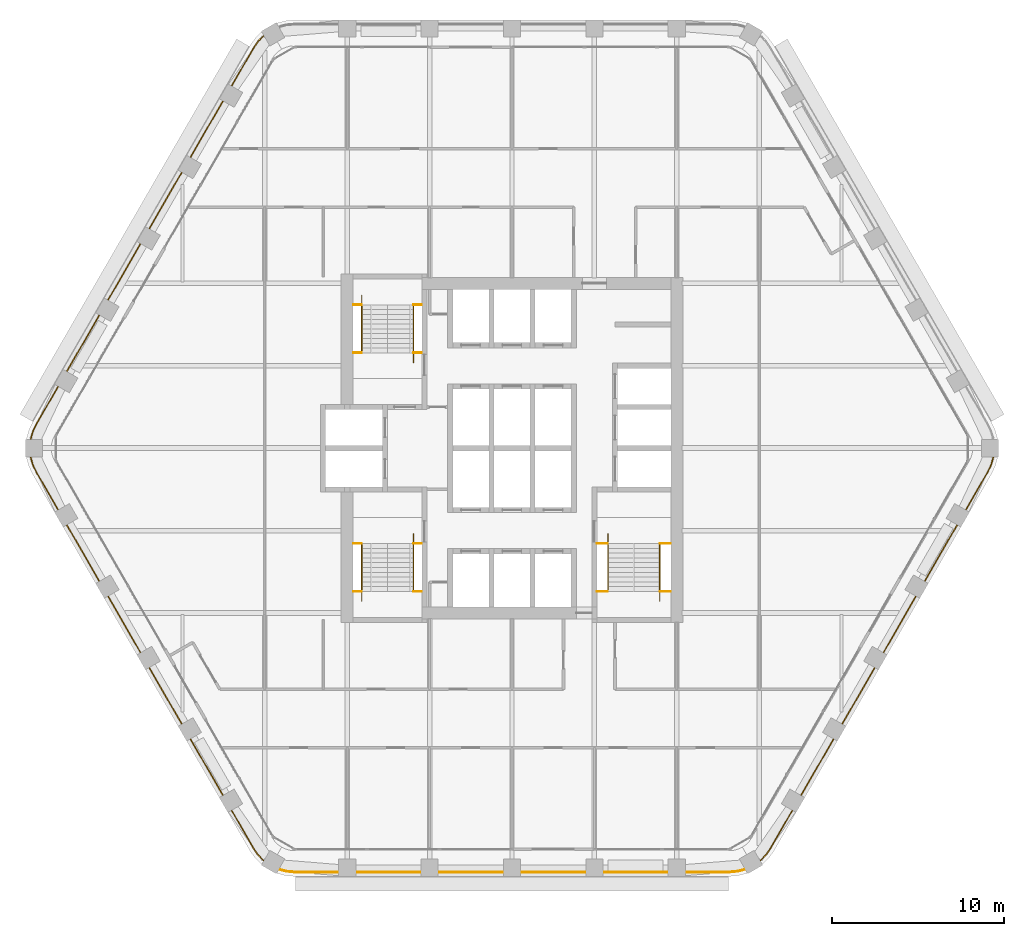
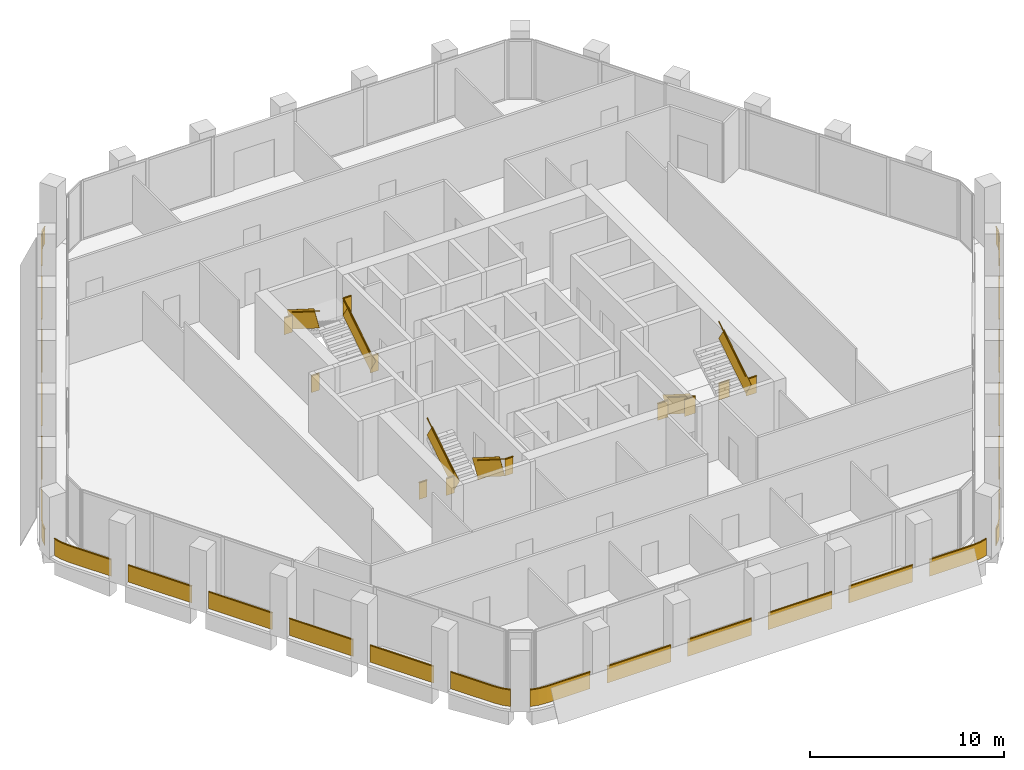
# One storey, part 14 of 15: 10 railings.
"""IFC4 building model written with IfcOpenShell, lengths in metres."""

from ifc_helpers import new_model, si_unit, direction, frame, frame_2d, origin, origin_2d, place, context, subcontext, project, spatial, rectangle, extrude, material, type_object, element, save


model = new_model("IFC4")

# Units and contexts
model_context = context("Model", 3, precision=1e-05, world=origin(), true_north=direction((0.0, 1.0)))
body_context = subcontext(model_context, "Body", "Model", "MODEL_VIEW")
ifc_project = project(units=[si_unit("LENGTHUNIT", "METRE"), si_unit("AREAUNIT", "SQUARE_METRE"), si_unit("VOLUMEUNIT", "CUBIC_METRE"), si_unit("PLANEANGLEUNIT", "RADIAN"), si_unit("MASSUNIT", "GRAM", prefix="KILO")], contexts=[model_context])

# Site, building, storey
site_placement = place(None, origin())
site = spatial("IfcSite", under=ifc_project, at=site_placement, CompositionType="ELEMENT")
building_placement = place(site_placement, origin())
building = spatial("IfcBuilding", under=site, at=building_placement, Name="Kolab Exchange Tower", CompositionType="ELEMENT")
storey_placement = place(building_placement, frame((0.0, 0.0, 138.800048828125)))
storey = spatial("IfcBuildingStorey", under=building, at=storey_placement, Name="L27", CompositionType="ELEMENT", Elevation=138.800048828125)

# Railings
ifc_material_1 = material(Name="Stainless steel 316", Category="steel")
railing_type_1 = type_object("IfcRailingType", Name="GUARD 1100", PredefinedType="GUARDRAIL", material=ifc_material_1)
railing_1_placement = place(storey_placement, frame((-9.25, 5.550048828125, 0.0)))
element("IfcRailing", 1, at=railing_1_placement, inside=storey, type_object=railing_type_1, Name="Guard ST1", PredefinedType="GUARDRAIL", context=body_context, shape_type="SweptSolid", body=[
    extrude(rectangle(XDim=0.05, YDim=0.05, at=origin_2d()), frame((0.0, 0.0, 1.0751953125), z_axis=(1.0, 0.0, 0.0), x_axis=(0.0, 1.0, 0.0)), (0.0, 0.0, 1.0), 0.489990234375),
    extrude(rectangle(XDim=0.012, YDim=1.05009765625, at=frame_2d((0.0, 0.525146484375))), frame((0.0, 0.0, 0.0), z_axis=(1.0, 0.0, 0.0), x_axis=(0.0, 1.0, 0.0)), (0.0, 0.0, 1.0), 0.489990234375),
    extrude(rectangle(XDim=0.05, YDim=0.05, at=origin_2d()), frame((3.510009765625, 0.0, 1.0751953125), z_axis=(1.0, 0.0, 0.0), x_axis=(0.0, 1.0, 0.0)), (0.0, 0.0, 1.0), 0.489990234375),
    extrude(rectangle(XDim=0.012, YDim=1.05009765625, at=frame_2d((0.0, 0.525146484375))), frame((3.510009765625, 0.0, 0.0), z_axis=(1.0, 0.0, 0.0), x_axis=(0.0, 1.0, 0.0)), (0.0, 0.0, 1.0), 0.489990234375),
    extrude(rectangle(XDim=0.05, YDim=0.05, at=origin_2d()), frame((0.0, 2.800048828125, 3.025146484375), z_axis=(1.0, 0.0, 0.0), x_axis=(0.0, 1.0, 0.0)), (0.0, 0.0, 1.0), 0.489990234375),
    extrude(rectangle(XDim=0.012, YDim=1.05009765625, at=frame_2d((0.0, 0.525146484375))), frame((0.0, 2.800048828125, 1.949951171875), z_axis=(1.0, 0.0, 0.0), x_axis=(0.0, 1.0, 0.0)), (0.0, 0.0, 1.0), 0.489990234375),
    extrude(rectangle(XDim=0.05, YDim=0.05, at=origin_2d()), frame((3.510009765625, 2.800048828125, 3.025146484375), z_axis=(1.0, 0.0, 0.0), x_axis=(0.0, 1.0, 0.0)), (0.0, 0.0, 1.0), 0.489990234375),
    extrude(rectangle(XDim=0.012, YDim=1.05009765625, at=frame_2d((0.0, 0.525146484375))), frame((3.510009765625, 2.800048828125, 1.949951171875), z_axis=(1.0, 0.0, 0.0), x_axis=(0.0, 1.0, 0.0)), (0.0, 0.0, 1.0), 0.489990234375),
])
railing_2_placement = place(storey_placement, frame((-5.739990234375, 5.550048828125, 0.17724609375)))
element("IfcRailing", 2, at=railing_2_placement, inside=storey, type_object=railing_type_1, Name="Handrail guard ST1", PredefinedType="GUARDRAIL", context=body_context, shape_type="SweptSolid", body=[
    extrude(rectangle(XDim=0.05, YDim=0.05, at=origin_2d()), frame((0.0, 0.0, 1.0751953125), z_axis=(0.0, 0.844908973607, 0.534910110503), x_axis=(-1.0, 0.0, 0.0)), (0.0, 0.0, 1.0), 3.31396484375),
    extrude(rectangle(XDim=0.012, YDim=1.05009765625, at=frame_2d((0.0, 0.525146484375))), frame((0.0, 0.0, 0.0), z_axis=(0.0, 0.844908973607, 0.534910110503), x_axis=(-1.0, 0.0, 0.0)), (0.0, 0.0, 1.0), 3.31396484375),
    extrude(rectangle(XDim=0.05, YDim=0.05, at=origin_2d()), frame((-3.02001953125, 2.800048828125, 3.025146484375), z_axis=(0.0, -0.844908973607, 0.534910110503), x_axis=(1.0, 0.0, 0.0)), (0.0, 0.0, 1.0), 3.31396484375),
    extrude(rectangle(XDim=0.012, YDim=1.05009765625, at=frame_2d((0.0, 0.525146484375))), frame((-3.02001953125, 2.800048828125, 1.949951171875), z_axis=(0.0, -0.844908973607, 0.534910110503), x_axis=(1.0, 0.0, 0.0)), (0.0, 0.0, 1.0), 3.31396484375),
])
railing_3_placement = place(storey_placement, frame((-9.25, -5.550048828125, 0.0)))
element("IfcRailing", 3, at=railing_3_placement, inside=storey, type_object=railing_type_1, Name="Guard ST3", PredefinedType="GUARDRAIL", context=body_context, shape_type="SweptSolid", body=[
    extrude(rectangle(XDim=0.05, YDim=0.05, at=origin_2d()), frame((0.0, 0.0, 1.0751953125), z_axis=(1.0, 0.0, 0.0), x_axis=(0.0, 1.0, 0.0)), (0.0, 0.0, 1.0), 0.489990234375),
    extrude(rectangle(XDim=0.012, YDim=1.05009765625, at=frame_2d((0.0, 0.525146484375))), frame((0.0, 0.0, 0.0), z_axis=(1.0, 0.0, 0.0), x_axis=(0.0, 1.0, 0.0)), (0.0, 0.0, 1.0), 0.489990234375),
    extrude(rectangle(XDim=0.05, YDim=0.05, at=origin_2d()), frame((3.510009765625, 0.0, 1.0751953125), z_axis=(1.0, 0.0, 0.0), x_axis=(0.0, 1.0, 0.0)), (0.0, 0.0, 1.0), 0.489990234375),
    extrude(rectangle(XDim=0.012, YDim=1.05009765625, at=frame_2d((0.0, 0.525146484375))), frame((3.510009765625, 0.0, 0.0), z_axis=(1.0, 0.0, 0.0), x_axis=(0.0, 1.0, 0.0)), (0.0, 0.0, 1.0), 0.489990234375),
    extrude(rectangle(XDim=0.05, YDim=0.05, at=origin_2d()), frame((0.0, -2.800048828125, 3.025146484375), z_axis=(1.0, 0.0, 0.0), x_axis=(0.0, 1.0, 0.0)), (0.0, 0.0, 1.0), 0.489990234375),
    extrude(rectangle(XDim=0.012, YDim=1.05009765625, at=frame_2d((0.0, 0.525146484375))), frame((0.0, -2.800048828125, 1.949951171875), z_axis=(1.0, 0.0, 0.0), x_axis=(0.0, 1.0, 0.0)), (0.0, 0.0, 1.0), 0.489990234375),
    extrude(rectangle(XDim=0.05, YDim=0.05, at=origin_2d()), frame((3.510009765625, -2.800048828125, 3.025146484375), z_axis=(1.0, 0.0, 0.0), x_axis=(0.0, 1.0, 0.0)), (0.0, 0.0, 1.0), 0.489990234375),
    extrude(rectangle(XDim=0.012, YDim=1.05009765625, at=frame_2d((0.0, 0.525146484375))), frame((3.510009765625, -2.800048828125, 1.949951171875), z_axis=(1.0, 0.0, 0.0), x_axis=(0.0, 1.0, 0.0)), (0.0, 0.0, 1.0), 0.489990234375),
])
railing_4_placement = place(storey_placement, frame((-5.739990234375, -5.550048828125, 0.17724609375)))
element("IfcRailing", 4, at=railing_4_placement, inside=storey, type_object=railing_type_1, Name="Handrail guard ST3", PredefinedType="GUARDRAIL", context=body_context, shape_type="SweptSolid", body=[
    extrude(rectangle(XDim=0.05, YDim=0.05, at=origin_2d()), frame((0.0, 0.0, 1.0751953125), z_axis=(0.0, -0.844908973607, 0.534910110503), x_axis=(1.0, 0.0, 0.0)), (0.0, 0.0, 1.0), 3.31396484375),
    extrude(rectangle(XDim=0.012, YDim=1.05009765625, at=frame_2d((0.0, 0.525146484375))), frame((0.0, 0.0, 0.0), z_axis=(0.0, -0.844908973607, 0.534910110503), x_axis=(1.0, 0.0, 0.0)), (0.0, 0.0, 1.0), 3.31396484375),
    extrude(rectangle(XDim=0.05, YDim=0.05, at=origin_2d()), frame((-3.02001953125, -2.800048828125, 3.025146484375), z_axis=(0.0, 0.844908973607, 0.534910110503), x_axis=(-1.0, 0.0, 0.0)), (0.0, 0.0, 1.0), 3.31396484375),
    extrude(rectangle(XDim=0.012, YDim=1.05009765625, at=frame_2d((0.0, 0.525146484375))), frame((-3.02001953125, -2.800048828125, 1.949951171875), z_axis=(0.0, 0.844908973607, 0.534910110503), x_axis=(-1.0, 0.0, 0.0)), (0.0, 0.0, 1.0), 3.31396484375),
])
railing_5_placement = place(storey_placement, frame((4.949951171875, -5.550048828125, 0.0)))
element("IfcRailing", 5, at=railing_5_placement, inside=storey, type_object=railing_type_1, Name="Guard ST2", PredefinedType="GUARDRAIL", context=body_context, shape_type="SweptSolid", body=[
    extrude(rectangle(XDim=0.05, YDim=0.05, at=origin_2d()), frame((0.0, 0.0, 1.0751953125), z_axis=(1.0, 0.0, 0.0), x_axis=(0.0, 1.0, 0.0)), (0.0, 0.0, 1.0), 0.64013671875),
    extrude(rectangle(XDim=0.012, YDim=1.05009765625, at=frame_2d((0.0, 0.525146484375))), frame((0.0, 0.0, 0.0), z_axis=(1.0, 0.0, 0.0), x_axis=(0.0, 1.0, 0.0)), (0.0, 0.0, 1.0), 0.64013671875),
    extrude(rectangle(XDim=0.05, YDim=0.05, at=origin_2d()), frame((3.66015625, 0.0, 1.0751953125), z_axis=(1.0, 0.0, 0.0), x_axis=(0.0, 1.0, 0.0)), (0.0, 0.0, 1.0), 0.639892578125),
    extrude(rectangle(XDim=0.012, YDim=1.05009765625, at=frame_2d((0.0, 0.525146484375))), frame((3.66015625, 0.0, 0.0), z_axis=(1.0, 0.0, 0.0), x_axis=(0.0, 1.0, 0.0)), (0.0, 0.0, 1.0), 0.639892578125),
    extrude(rectangle(XDim=0.05, YDim=0.05, at=origin_2d()), frame((0.0, -2.800048828125, 3.025146484375), z_axis=(1.0, 0.0, 0.0), x_axis=(0.0, 1.0, 0.0)), (0.0, 0.0, 1.0), 0.64013671875),
    extrude(rectangle(XDim=0.012, YDim=1.05009765625, at=frame_2d((0.0, 0.525146484375))), frame((0.0, -2.800048828125, 1.949951171875), z_axis=(1.0, 0.0, 0.0), x_axis=(0.0, 1.0, 0.0)), (0.0, 0.0, 1.0), 0.64013671875),
    extrude(rectangle(XDim=0.05, YDim=0.05, at=origin_2d()), frame((3.66015625, -2.800048828125, 3.025146484375), z_axis=(1.0, 0.0, 0.0), x_axis=(0.0, 1.0, 0.0)), (0.0, 0.0, 1.0), 0.639892578125),
    extrude(rectangle(XDim=0.012, YDim=1.05009765625, at=frame_2d((0.0, 0.525146484375))), frame((3.66015625, -2.800048828125, 1.949951171875), z_axis=(1.0, 0.0, 0.0), x_axis=(0.0, 1.0, 0.0)), (0.0, 0.0, 1.0), 0.639892578125),
])
railing_6_placement = place(storey_placement, frame((5.590087890625, -5.550048828125, 0.17724609375)))
element("IfcRailing", 6, at=railing_6_placement, inside=storey, type_object=railing_type_1, Name="Handrail guard ST2", PredefinedType="GUARDRAIL", context=body_context, shape_type="SweptSolid", body=[
    extrude(rectangle(XDim=0.05, YDim=0.05, at=origin_2d()), frame((0.0, 0.0, 1.0751953125), z_axis=(0.0, -0.844908973607, 0.534910110503), x_axis=(1.0, 0.0, 0.0)), (0.0, 0.0, 1.0), 3.31396484375),
    extrude(rectangle(XDim=0.012, YDim=1.05009765625, at=frame_2d((0.0, 0.525146484375))), frame((0.0, 0.0, 0.0), z_axis=(0.0, -0.844908973607, 0.534910110503), x_axis=(1.0, 0.0, 0.0)), (0.0, 0.0, 1.0), 3.31396484375),
    extrude(rectangle(XDim=0.05, YDim=0.05, at=origin_2d()), frame((3.02001953125, -2.800048828125, 3.025146484375), z_axis=(0.0, 0.844908973607, 0.534910110503), x_axis=(-1.0, 0.0, 0.0)), (0.0, 0.0, 1.0), 3.31396484375),
    extrude(rectangle(XDim=0.012, YDim=1.05009765625, at=frame_2d((0.0, 0.525146484375))), frame((3.02001953125, -2.800048828125, 1.949951171875), z_axis=(0.0, 0.844908973607, 0.534910110503), x_axis=(-1.0, 0.0, 0.0)), (0.0, 0.0, 1.0), 3.31396484375),
])
ifc_material_2 = material(Name="Steel S235", Category="steel")
railing_type_2 = type_object("IfcRailingType", Name="GUARD 1100 GLASS BALUSTRADE AND STEEL TOP RAIL", PredefinedType="GUARDRAIL", material=ifc_material_2)
railing_7_placement = place(storey_placement, frame((14.4501953125, -24.033447265625, 0.0)))
element("IfcRailing", 7, at=railing_7_placement, inside=storey, type_object=railing_type_2, Name="Guard", PredefinedType="GUARDRAIL", context=body_context, shape_type="SweptSolid", body=[
    extrude(rectangle(XDim=0.05, YDim=0.05, at=origin_2d()), frame((0.0, 0.0, 1.0751953125), z_axis=(0.70737286085, 0.706840601361, 0.0), x_axis=(-0.706840601361, 0.70737286085, 0.0)), (0.0, 0.0, 1.0), 0.458740234375),
    extrude(rectangle(XDim=0.012, YDim=1.05009765625, at=frame_2d((0.0, 0.525146484375))), frame((0.0, 0.0, 0.0), z_axis=(0.70737286085, 0.706840601361, 0.0), x_axis=(-0.706840601361, 0.70737286085, 0.0)), (0.0, 0.0, 1.0), 0.458740234375),
    extrude(rectangle(XDim=0.05, YDim=0.05, at=origin_2d()), frame((0.324462890625, 0.32421875, 1.0751953125), z_axis=(0.573599091554, 0.819136180478, 0.0), x_axis=(-0.819136180478, 0.573599091554, 0.0)), (0.0, 0.0, 1.0), 0.479248046875),
    extrude(rectangle(XDim=0.012, YDim=1.05009765625, at=frame_2d((0.0, 0.525146484375))), frame((0.324462890625, 0.32421875, 0.0), z_axis=(0.573599091554, 0.819136180478, 0.0), x_axis=(-0.819136180478, 0.573599091554, 0.0)), (0.0, 0.0, 1.0), 0.479248046875),
    extrude(rectangle(XDim=0.05, YDim=0.05, at=origin_2d()), frame((0.599365234375, 0.716796875, 1.0751953125), z_axis=(0.499952873616, 0.866052610505, 0.0), x_axis=(-0.866052610505, 0.499952873616, 0.0)), (0.0, 0.0, 1.0), 2.568115234375),
    extrude(rectangle(XDim=0.012, YDim=1.05009765625, at=frame_2d((0.0, 0.525146484375))), frame((0.599365234375, 0.716796875, 0.0), z_axis=(0.499952873616, 0.866052610505, 0.0), x_axis=(-0.866052610505, 0.499952873616, 0.0)), (0.0, 0.0, 1.0), 2.568115234375),
    extrude(rectangle(XDim=0.05, YDim=0.05, at=origin_2d()), frame((2.38330078125, 3.806884765625, 1.0751953125), z_axis=(0.499994975061, 0.866028304915, 0.0), x_axis=(-0.866028304915, 0.499994975061, 0.0)), (0.0, 0.0, 1.0), 3.7998046875),
    extrude(rectangle(XDim=0.012, YDim=1.05009765625, at=frame_2d((0.0, 0.525146484375))), frame((2.38330078125, 3.806884765625, 0.0), z_axis=(0.499994975061, 0.866028304915, 0.0), x_axis=(-0.866028304915, 0.499994975061, 0.0)), (0.0, 0.0, 1.0), 3.7998046875),
    extrude(rectangle(XDim=0.05, YDim=0.05, at=origin_2d()), frame((4.783203125, 7.9638671875, 1.0751953125), z_axis=(0.500043160704, 0.866000483506, 0.0), x_axis=(-0.866000483506, 0.500043160704, 0.0)), (0.0, 0.0, 1.0), 3.800048828125),
    extrude(rectangle(XDim=0.012, YDim=1.05009765625, at=frame_2d((0.0, 0.525146484375))), frame((4.783203125, 7.9638671875, 0.0), z_axis=(0.500043160704, 0.866000483506, 0.0), x_axis=(-0.866000483506, 0.500043160704, 0.0)), (0.0, 0.0, 1.0), 3.800048828125),
    extrude(rectangle(XDim=0.05, YDim=0.05, at=origin_2d()), frame((7.183349609375, 12.12060546875, 1.0751953125), z_axis=(0.499967155389, 0.866044365799, 0.0), x_axis=(-0.866044365799, 0.499967155389, 0.0)), (0.0, 0.0, 1.0), 3.800048828125),
    extrude(rectangle(XDim=0.012, YDim=1.05009765625, at=frame_2d((0.0, 0.525146484375))), frame((7.183349609375, 12.12060546875, 0.0), z_axis=(0.499967155389, 0.866044365799, 0.0), x_axis=(-0.866044365799, 0.499967155389, 0.0)), (0.0, 0.0, 1.0), 3.800048828125),
    extrude(rectangle(XDim=0.05, YDim=0.05, at=origin_2d()), frame((9.583251953125, 16.277587890625, 1.0751953125), z_axis=(0.500015340139, 0.86601654697, 0.0), x_axis=(-0.86601654697, 0.500015340139, 0.0)), (0.0, 0.0, 1.0), 3.80029296875),
    extrude(rectangle(XDim=0.012, YDim=1.05009765625, at=frame_2d((0.0, 0.525146484375))), frame((9.583251953125, 16.277587890625, 0.0), z_axis=(0.500015340139, 0.86601654697, 0.0), x_axis=(-0.86601654697, 0.500015340139, 0.0)), (0.0, 0.0, 1.0), 3.80029296875),
    extrude(rectangle(XDim=0.05, YDim=0.05, at=origin_2d()), frame((11.9833984375, 20.4345703125, 1.0751953125), z_axis=(0.499994038704, 0.866028845513, 0.0), x_axis=(-0.866028845513, 0.499994038704, 0.0)), (0.0, 0.0, 1.0), 2.56787109375),
    extrude(rectangle(XDim=0.012, YDim=1.05009765625, at=frame_2d((0.0, 0.525146484375))), frame((11.9833984375, 20.4345703125, 0.0), z_axis=(0.499994038704, 0.866028845513, 0.0), x_axis=(-0.866028845513, 0.499994038704, 0.0)), (0.0, 0.0, 1.0), 2.56787109375),
    extrude(rectangle(XDim=0.05, YDim=0.05, at=origin_2d()), frame((13.267333984375, 22.658447265625, 1.0751953125), z_axis=(0.422801802984, 0.906222177721, 0.0), x_axis=(-0.906222177721, 0.422801802984, 0.0)), (0.0, 0.0, 1.0), 0.479248046875),
    extrude(rectangle(XDim=0.012, YDim=1.05009765625, at=frame_2d((0.0, 0.525146484375))), frame((13.267333984375, 22.658447265625, 0.0), z_axis=(0.422801802984, 0.906222177721, 0.0), x_axis=(-0.906222177721, 0.422801802984, 0.0)), (0.0, 0.0, 1.0), 0.479248046875),
    extrude(rectangle(XDim=0.05, YDim=0.05, at=origin_2d()), frame((13.469970703125, 23.0927734375, 1.0751953125), z_axis=(0.25865627591, 0.965969425465, 0.0), x_axis=(-0.965969425465, 0.25865627591, 0.0)), (0.0, 0.0, 1.0), 0.458740234375),
    extrude(rectangle(XDim=0.012, YDim=1.05009765625, at=frame_2d((0.0, 0.525146484375))), frame((13.469970703125, 23.0927734375, 0.0), z_axis=(0.25865627591, 0.965969425465, 0.0), x_axis=(-0.965969425465, 0.25865627591, 0.0)), (0.0, 0.0, 1.0), 0.458740234375),
])
railing_8_placement = place(storey_placement, frame((-13.588623046875, -24.531005859375, 0.0)))
element("IfcRailing", 8, at=railing_8_placement, inside=storey, type_object=railing_type_2, Name="Guard", PredefinedType="GUARDRAIL", context=body_context, shape_type="SweptSolid", body=[
    extrude(rectangle(XDim=0.05, YDim=0.05, at=origin_2d()), frame((0.0, 0.0, 1.0751953125), z_axis=(0.965969425465, -0.25865627591, 0.0), x_axis=(0.25865627591, 0.965969425465, 0.0)), (0.0, 0.0, 1.0), 0.458740234375),
    extrude(rectangle(XDim=0.012, YDim=1.05009765625, at=frame_2d((0.0, 0.525146484375))), frame((0.0, 0.0, 0.0), z_axis=(0.965969425465, -0.25865627591, 0.0), x_axis=(0.25865627591, 0.965969425465, 0.0)), (0.0, 0.0, 1.0), 0.458740234375),
    extrude(rectangle(XDim=0.05, YDim=0.05, at=origin_2d()), frame((0.443115234375, -0.11865234375, 1.0751953125), z_axis=(0.996156034798, -0.087596542937, 0.0), x_axis=(0.087596542937, 0.996156034798, 0.0)), (0.0, 0.0, 1.0), 0.4794921875),
    extrude(rectangle(XDim=0.012, YDim=1.05009765625, at=frame_2d((0.0, 0.525146484375))), frame((0.443115234375, -0.11865234375, 0.0), z_axis=(0.996156034798, -0.087596542937, 0.0), x_axis=(0.087596542937, 0.996156034798, 0.0)), (0.0, 0.0, 1.0), 0.4794921875),
    extrude(rectangle(XDim=0.05, YDim=0.05, at=origin_2d()), frame((0.920654296875, -0.16064453125, 1.0751953125), z_axis=(1.0, 0.0, 0.0), x_axis=(0.0, 1.0, 0.0)), (0.0, 0.0, 1.0), 2.56787109375),
    extrude(rectangle(XDim=0.012, YDim=1.05009765625, at=frame_2d((0.0, 0.525146484375))), frame((0.920654296875, -0.16064453125, 0.0), z_axis=(1.0, 0.0, 0.0), x_axis=(0.0, 1.0, 0.0)), (0.0, 0.0, 1.0), 2.56787109375),
    extrude(rectangle(XDim=0.05, YDim=0.05, at=origin_2d()), frame((4.488525390625, -0.16064453125, 1.0751953125), z_axis=(1.0, 0.0, 0.0), x_axis=(0.0, 1.0, 0.0)), (0.0, 0.0, 1.0), 3.800048828125),
    extrude(rectangle(XDim=0.012, YDim=1.05009765625, at=frame_2d((0.0, 0.525146484375))), frame((4.488525390625, -0.16064453125, 0.0), z_axis=(1.0, 0.0, 0.0), x_axis=(0.0, 1.0, 0.0)), (0.0, 0.0, 1.0), 3.800048828125),
    extrude(rectangle(XDim=0.05, YDim=0.05, at=origin_2d()), frame((9.28857421875, -0.16064453125, 1.0751953125), z_axis=(1.0, 0.0, 0.0), x_axis=(0.0, 1.0, 0.0)), (0.0, 0.0, 1.0), 3.800048828125),
    extrude(rectangle(XDim=0.012, YDim=1.05009765625, at=frame_2d((0.0, 0.525146484375))), frame((9.28857421875, -0.16064453125, 0.0), z_axis=(1.0, 0.0, 0.0), x_axis=(0.0, 1.0, 0.0)), (0.0, 0.0, 1.0), 3.800048828125),
    extrude(rectangle(XDim=0.05, YDim=0.05, at=origin_2d()), frame((14.088623046875, -0.16064453125, 1.0751953125), z_axis=(1.0, 0.0, 0.0), x_axis=(0.0, 1.0, 0.0)), (0.0, 0.0, 1.0), 3.800048828125),
    extrude(rectangle(XDim=0.012, YDim=1.05009765625, at=frame_2d((0.0, 0.525146484375))), frame((14.088623046875, -0.16064453125, 0.0), z_axis=(1.0, 0.0, 0.0), x_axis=(0.0, 1.0, 0.0)), (0.0, 0.0, 1.0), 3.800048828125),
    extrude(rectangle(XDim=0.05, YDim=0.05, at=origin_2d()), frame((18.888671875, -0.16064453125, 1.0751953125), z_axis=(1.0, 0.0, 0.0), x_axis=(0.0, 1.0, 0.0)), (0.0, 0.0, 1.0), 3.800048828125),
    extrude(rectangle(XDim=0.012, YDim=1.05009765625, at=frame_2d((0.0, 0.525146484375))), frame((18.888671875, -0.16064453125, 0.0), z_axis=(1.0, 0.0, 0.0), x_axis=(0.0, 1.0, 0.0)), (0.0, 0.0, 1.0), 3.800048828125),
    extrude(rectangle(XDim=0.05, YDim=0.05, at=origin_2d()), frame((23.688720703125, -0.16064453125, 1.0751953125), z_axis=(1.0, 0.0, 0.0), x_axis=(0.0, 1.0, 0.0)), (0.0, 0.0, 1.0), 2.56787109375),
    extrude(rectangle(XDim=0.012, YDim=1.05009765625, at=frame_2d((0.0, 0.525146484375))), frame((23.688720703125, -0.16064453125, 0.0), z_axis=(1.0, 0.0, 0.0), x_axis=(0.0, 1.0, 0.0)), (0.0, 0.0, 1.0), 2.56787109375),
    extrude(rectangle(XDim=0.05, YDim=0.05, at=origin_2d()), frame((26.256591796875, -0.16064453125, 1.0751953125), z_axis=(0.996156034798, 0.087596542937, 0.0), x_axis=(-0.087596542937, 0.996156034798, 0.0)), (0.0, 0.0, 1.0), 0.4794921875),
    extrude(rectangle(XDim=0.012, YDim=1.05009765625, at=frame_2d((0.0, 0.525146484375))), frame((26.256591796875, -0.16064453125, 0.0), z_axis=(0.996156034798, 0.087596542937, 0.0), x_axis=(-0.087596542937, 0.996156034798, 0.0)), (0.0, 0.0, 1.0), 0.4794921875),
    extrude(rectangle(XDim=0.05, YDim=0.05, at=origin_2d()), frame((26.734130859375, -0.11865234375, 1.0751953125), z_axis=(0.965969425465, 0.25865627591, 0.0), x_axis=(-0.25865627591, 0.965969425465, 0.0)), (0.0, 0.0, 1.0), 0.458740234375),
    extrude(rectangle(XDim=0.012, YDim=1.05009765625, at=frame_2d((0.0, 0.525146484375))), frame((26.734130859375, -0.11865234375, 0.0), z_axis=(0.965969425465, 0.25865627591, 0.0), x_axis=(-0.25865627591, 0.965969425465, 0.0)), (0.0, 0.0, 1.0), 0.458740234375),
])
railing_9_placement = place(storey_placement, frame((-28.038818359375, -0.49755859375, 0.0)))
element("IfcRailing", 9, at=railing_9_placement, inside=storey, type_object=railing_type_2, Name="Guard", PredefinedType="GUARDRAIL", context=body_context, shape_type="SweptSolid", body=[
    extrude(rectangle(XDim=0.05, YDim=0.05, at=origin_2d()), frame((0.0, 0.0, 1.0751953125), z_axis=(0.25865627591, -0.965969425465, 0.0), x_axis=(0.965969425465, 0.25865627591, 0.0)), (0.0, 0.0, 1.0), 0.458740234375),
    extrude(rectangle(XDim=0.012, YDim=1.05009765625, at=frame_2d((0.0, 0.525146484375))), frame((0.0, 0.0, 0.0), z_axis=(0.25865627591, -0.965969425465, 0.0), x_axis=(0.965969425465, 0.25865627591, 0.0)), (0.0, 0.0, 1.0), 0.458740234375),
    extrude(rectangle(XDim=0.05, YDim=0.05, at=origin_2d()), frame((0.11865234375, -0.443115234375, 1.0751953125), z_axis=(0.422801802984, -0.906222177721, 0.0), x_axis=(0.906222177721, 0.422801802984, 0.0)), (0.0, 0.0, 1.0), 0.479248046875),
    extrude(rectangle(XDim=0.012, YDim=1.05009765625, at=frame_2d((0.0, 0.525146484375))), frame((0.11865234375, -0.443115234375, 0.0), z_axis=(0.422801802984, -0.906222177721, 0.0), x_axis=(0.906222177721, 0.422801802984, 0.0)), (0.0, 0.0, 1.0), 0.479248046875),
    extrude(rectangle(XDim=0.05, YDim=0.05, at=origin_2d()), frame((0.3212890625, -0.87744140625, 1.0751953125), z_axis=(0.499994038704, -0.866028845513, 0.0), x_axis=(0.866028845513, 0.499994038704, 0.0)), (0.0, 0.0, 1.0), 2.56787109375),
    extrude(rectangle(XDim=0.012, YDim=1.05009765625, at=frame_2d((0.0, 0.525146484375))), frame((0.3212890625, -0.87744140625, 0.0), z_axis=(0.499994038704, -0.866028845513, 0.0), x_axis=(0.866028845513, 0.499994038704, 0.0)), (0.0, 0.0, 1.0), 2.56787109375),
    extrude(rectangle(XDim=0.05, YDim=0.05, at=origin_2d()), frame((2.105224609375, -3.96728515625, 1.0751953125), z_axis=(0.500015340139, -0.86601654697, 0.0), x_axis=(0.86601654697, 0.500015340139, 0.0)), (0.0, 0.0, 1.0), 3.80029296875),
    extrude(rectangle(XDim=0.012, YDim=1.05009765625, at=frame_2d((0.0, 0.525146484375))), frame((2.105224609375, -3.96728515625, 0.0), z_axis=(0.500015340139, -0.86601654697, 0.0), x_axis=(0.86601654697, 0.500015340139, 0.0)), (0.0, 0.0, 1.0), 3.80029296875),
    extrude(rectangle(XDim=0.05, YDim=0.05, at=origin_2d()), frame((4.50537109375, -8.124267578125, 1.0751953125), z_axis=(0.499967155389, -0.866044365799, 0.0), x_axis=(0.866044365799, 0.499967155389, 0.0)), (0.0, 0.0, 1.0), 3.800048828125),
    extrude(rectangle(XDim=0.012, YDim=1.05009765625, at=frame_2d((0.0, 0.525146484375))), frame((4.50537109375, -8.124267578125, 0.0), z_axis=(0.499967155389, -0.866044365799, 0.0), x_axis=(0.866044365799, 0.499967155389, 0.0)), (0.0, 0.0, 1.0), 3.800048828125),
    extrude(rectangle(XDim=0.05, YDim=0.05, at=origin_2d()), frame((6.9052734375, -12.28125, 1.0751953125), z_axis=(0.500043160704, -0.866000483506, 0.0), x_axis=(0.866000483506, 0.500043160704, 0.0)), (0.0, 0.0, 1.0), 3.800048828125),
    extrude(rectangle(XDim=0.012, YDim=1.05009765625, at=frame_2d((0.0, 0.525146484375))), frame((6.9052734375, -12.28125, 0.0), z_axis=(0.500043160704, -0.866000483506, 0.0), x_axis=(0.866000483506, 0.500043160704, 0.0)), (0.0, 0.0, 1.0), 3.800048828125),
    extrude(rectangle(XDim=0.05, YDim=0.05, at=origin_2d()), frame((9.305419921875, -16.438232421875, 1.0751953125), z_axis=(0.499994975061, -0.866028304915, 0.0), x_axis=(0.866028304915, 0.499994975061, 0.0)), (0.0, 0.0, 1.0), 3.7998046875),
    extrude(rectangle(XDim=0.012, YDim=1.05009765625, at=frame_2d((0.0, 0.525146484375))), frame((9.305419921875, -16.438232421875, 0.0), z_axis=(0.499994975061, -0.866028304915, 0.0), x_axis=(0.866028304915, 0.499994975061, 0.0)), (0.0, 0.0, 1.0), 3.7998046875),
    extrude(rectangle(XDim=0.05, YDim=0.05, at=origin_2d()), frame((11.705322265625, -20.594970703125, 1.0751953125), z_axis=(0.499952873616, -0.866052610505, 0.0), x_axis=(0.866052610505, 0.499952873616, 0.0)), (0.0, 0.0, 1.0), 2.568115234375),
    extrude(rectangle(XDim=0.012, YDim=1.05009765625, at=frame_2d((0.0, 0.525146484375))), frame((11.705322265625, -20.594970703125, 0.0), z_axis=(0.499952873616, -0.866052610505, 0.0), x_axis=(0.866052610505, 0.499952873616, 0.0)), (0.0, 0.0, 1.0), 2.568115234375),
    extrude(rectangle(XDim=0.05, YDim=0.05, at=origin_2d()), frame((12.9892578125, -22.819091796875, 1.0751953125), z_axis=(0.573599091554, -0.819136180478, 0.0), x_axis=(0.819136180478, 0.573599091554, 0.0)), (0.0, 0.0, 1.0), 0.479248046875),
    extrude(rectangle(XDim=0.012, YDim=1.05009765625, at=frame_2d((0.0, 0.525146484375))), frame((12.9892578125, -22.819091796875, 0.0), z_axis=(0.573599091554, -0.819136180478, 0.0), x_axis=(0.819136180478, 0.573599091554, 0.0)), (0.0, 0.0, 1.0), 0.479248046875),
    extrude(rectangle(XDim=0.05, YDim=0.05, at=origin_2d()), frame((13.26416015625, -23.211669921875, 1.0751953125), z_axis=(0.70737286085, -0.706840601361, 0.0), x_axis=(0.706840601361, 0.70737286085, 0.0)), (0.0, 0.0, 1.0), 0.458740234375),
    extrude(rectangle(XDim=0.012, YDim=1.05009765625, at=frame_2d((0.0, 0.525146484375))), frame((13.26416015625, -23.211669921875, 0.0), z_axis=(0.70737286085, -0.706840601361, 0.0), x_axis=(0.706840601361, 0.70737286085, 0.0)), (0.0, 0.0, 1.0), 0.458740234375),
])
railing_10_placement = place(storey_placement, frame((-14.4501953125, 24.033447265625, 0.0)))
element("IfcRailing", 10, at=railing_10_placement, inside=storey, type_object=railing_type_2, Name="Guard", PredefinedType="GUARDRAIL", context=body_context, shape_type="SweptSolid", body=[
    extrude(rectangle(XDim=0.05, YDim=0.05, at=origin_2d()), frame((0.0, 0.0, 1.0751953125), z_axis=(-0.70737286085, -0.706840601361, 0.0), x_axis=(0.706840601361, -0.70737286085, 0.0)), (0.0, 0.0, 1.0), 0.458740234375),
    extrude(rectangle(XDim=0.012, YDim=1.05009765625, at=frame_2d((0.0, 0.525146484375))), frame((0.0, 0.0, 0.0), z_axis=(-0.70737286085, -0.706840601361, 0.0), x_axis=(0.706840601361, -0.70737286085, 0.0)), (0.0, 0.0, 1.0), 0.458740234375),
    extrude(rectangle(XDim=0.05, YDim=0.05, at=origin_2d()), frame((-0.324462890625, -0.32421875, 1.0751953125), z_axis=(-0.573599091554, -0.819136180478, 0.0), x_axis=(0.819136180478, -0.573599091554, 0.0)), (0.0, 0.0, 1.0), 0.479248046875),
    extrude(rectangle(XDim=0.012, YDim=1.05009765625, at=frame_2d((0.0, 0.525146484375))), frame((-0.324462890625, -0.32421875, 0.0), z_axis=(-0.573599091554, -0.819136180478, 0.0), x_axis=(0.819136180478, -0.573599091554, 0.0)), (0.0, 0.0, 1.0), 0.479248046875),
    extrude(rectangle(XDim=0.05, YDim=0.05, at=origin_2d()), frame((-0.599365234375, -0.716796875, 1.0751953125), z_axis=(-0.499952873616, -0.866052610505, 0.0), x_axis=(0.866052610505, -0.499952873616, 0.0)), (0.0, 0.0, 1.0), 2.568115234375),
    extrude(rectangle(XDim=0.012, YDim=1.05009765625, at=frame_2d((0.0, 0.525146484375))), frame((-0.599365234375, -0.716796875, 0.0), z_axis=(-0.499952873616, -0.866052610505, 0.0), x_axis=(0.866052610505, -0.499952873616, 0.0)), (0.0, 0.0, 1.0), 2.568115234375),
    extrude(rectangle(XDim=0.05, YDim=0.05, at=origin_2d()), frame((-2.38330078125, -3.806884765625, 1.0751953125), z_axis=(-0.499994975061, -0.866028304915, 0.0), x_axis=(0.866028304915, -0.499994975061, 0.0)), (0.0, 0.0, 1.0), 3.7998046875),
    extrude(rectangle(XDim=0.012, YDim=1.05009765625, at=frame_2d((0.0, 0.525146484375))), frame((-2.38330078125, -3.806884765625, 0.0), z_axis=(-0.499994975061, -0.866028304915, 0.0), x_axis=(0.866028304915, -0.499994975061, 0.0)), (0.0, 0.0, 1.0), 3.7998046875),
    extrude(rectangle(XDim=0.05, YDim=0.05, at=origin_2d()), frame((-4.783203125, -7.9638671875, 1.0751953125), z_axis=(-0.500043160704, -0.866000483506, 0.0), x_axis=(0.866000483506, -0.500043160704, 0.0)), (0.0, 0.0, 1.0), 3.800048828125),
    extrude(rectangle(XDim=0.012, YDim=1.05009765625, at=frame_2d((0.0, 0.525146484375))), frame((-4.783203125, -7.9638671875, 0.0), z_axis=(-0.500043160704, -0.866000483506, 0.0), x_axis=(0.866000483506, -0.500043160704, 0.0)), (0.0, 0.0, 1.0), 3.800048828125),
    extrude(rectangle(XDim=0.05, YDim=0.05, at=origin_2d()), frame((-7.183349609375, -12.12060546875, 1.0751953125), z_axis=(-0.499967155389, -0.866044365799, 0.0), x_axis=(0.866044365799, -0.499967155389, 0.0)), (0.0, 0.0, 1.0), 3.800048828125),
    extrude(rectangle(XDim=0.012, YDim=1.05009765625, at=frame_2d((0.0, 0.525146484375))), frame((-7.183349609375, -12.12060546875, 0.0), z_axis=(-0.499967155389, -0.866044365799, 0.0), x_axis=(0.866044365799, -0.499967155389, 0.0)), (0.0, 0.0, 1.0), 3.800048828125),
    extrude(rectangle(XDim=0.05, YDim=0.05, at=origin_2d()), frame((-9.583251953125, -16.277587890625, 1.0751953125), z_axis=(-0.500015340139, -0.86601654697, 0.0), x_axis=(0.86601654697, -0.500015340139, 0.0)), (0.0, 0.0, 1.0), 3.80029296875),
    extrude(rectangle(XDim=0.012, YDim=1.05009765625, at=frame_2d((0.0, 0.525146484375))), frame((-9.583251953125, -16.277587890625, 0.0), z_axis=(-0.500015340139, -0.86601654697, 0.0), x_axis=(0.86601654697, -0.500015340139, 0.0)), (0.0, 0.0, 1.0), 3.80029296875),
    extrude(rectangle(XDim=0.05, YDim=0.05, at=origin_2d()), frame((-11.9833984375, -20.4345703125, 1.0751953125), z_axis=(-0.499994038704, -0.866028845513, 0.0), x_axis=(0.866028845513, -0.499994038704, 0.0)), (0.0, 0.0, 1.0), 2.56787109375),
    extrude(rectangle(XDim=0.012, YDim=1.05009765625, at=frame_2d((0.0, 0.525146484375))), frame((-11.9833984375, -20.4345703125, 0.0), z_axis=(-0.499994038704, -0.866028845513, 0.0), x_axis=(0.866028845513, -0.499994038704, 0.0)), (0.0, 0.0, 1.0), 2.56787109375),
    extrude(rectangle(XDim=0.05, YDim=0.05, at=origin_2d()), frame((-13.267333984375, -22.658447265625, 1.0751953125), z_axis=(-0.422801802984, -0.906222177721, 0.0), x_axis=(0.906222177721, -0.422801802984, 0.0)), (0.0, 0.0, 1.0), 0.479248046875),
    extrude(rectangle(XDim=0.012, YDim=1.05009765625, at=frame_2d((0.0, 0.525146484375))), frame((-13.267333984375, -22.658447265625, 0.0), z_axis=(-0.422801802984, -0.906222177721, 0.0), x_axis=(0.906222177721, -0.422801802984, 0.0)), (0.0, 0.0, 1.0), 0.479248046875),
    extrude(rectangle(XDim=0.05, YDim=0.05, at=origin_2d()), frame((-13.469970703125, -23.0927734375, 1.0751953125), z_axis=(-0.25865627591, -0.965969425465, 0.0), x_axis=(0.965969425465, -0.25865627591, 0.0)), (0.0, 0.0, 1.0), 0.458740234375),
    extrude(rectangle(XDim=0.012, YDim=1.05009765625, at=frame_2d((0.0, 0.525146484375))), frame((-13.469970703125, -23.0927734375, 0.0), z_axis=(-0.25865627591, -0.965969425465, 0.0), x_axis=(0.965969425465, -0.25865627591, 0.0)), (0.0, 0.0, 1.0), 0.458740234375),
])

save(model, "model.ifc")
